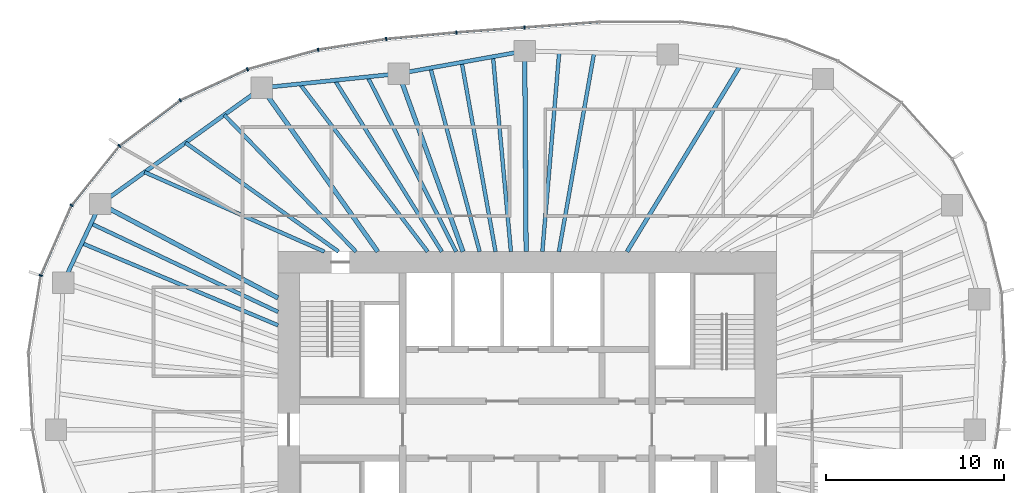
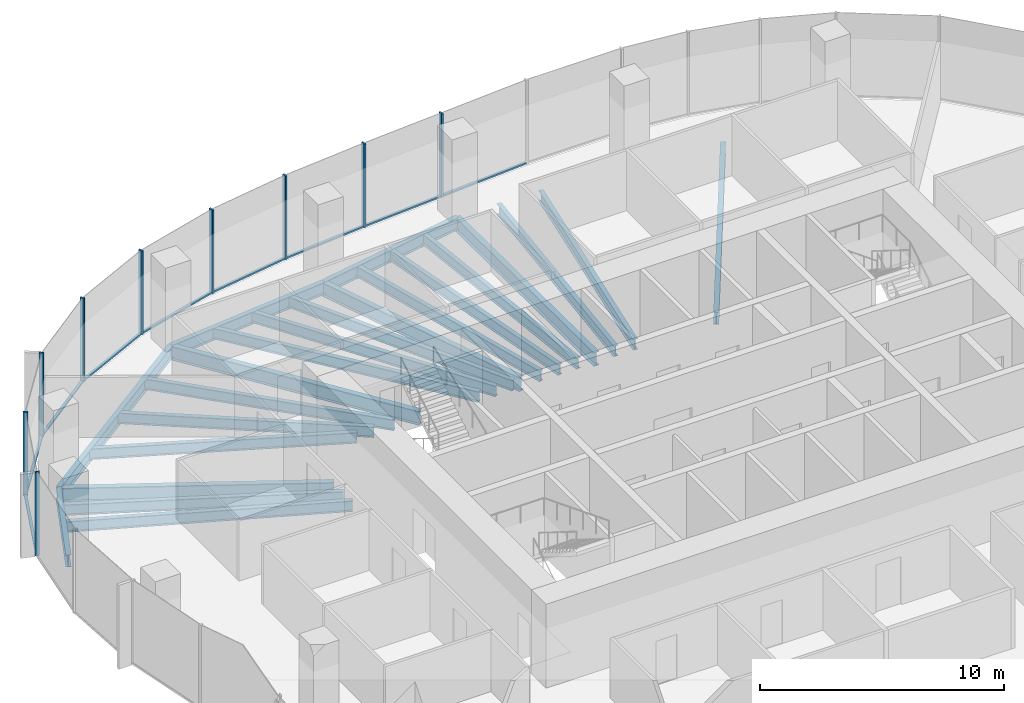
# One storey, part 5 of 12: 22 beams, 18 members, 6 elements without a shape of their own.
"""IFC4 building model written with IfcOpenShell, lengths in metres."""

from ifc_helpers import new_model, si_unit, direction, frame, origin, origin_2d, place, context, subcontext, project, spatial, rectangle, i_section, extrude, material, material_profile, profile_set, type_object, element, aggregate, save


model = new_model("IFC4")

# Units and contexts
model_context = context("Model", 3, precision=1e-05, world=origin(), true_north=direction((0.0, 1.0)))
body_context = subcontext(model_context, "Body", "Model", "MODEL_VIEW")
ifc_project = project(units=[si_unit("LENGTHUNIT", "METRE"), si_unit("AREAUNIT", "SQUARE_METRE"), si_unit("VOLUMEUNIT", "CUBIC_METRE"), si_unit("PLANEANGLEUNIT", "RADIAN"), si_unit("MASSUNIT", "GRAM", prefix="KILO")], contexts=[model_context])

# Site, building, storey
site_placement = place(None, origin())
site = spatial("IfcSite", under=ifc_project, at=site_placement, CompositionType="ELEMENT")
building_placement = place(site_placement, origin())
building = spatial("IfcBuilding", under=site, at=building_placement, Name="Ghaith Harvest Tower", CompositionType="ELEMENT")
storey_placement = place(building_placement, frame((0.0, 0.0, 253.60009765625)))
storey = spatial("IfcBuildingStorey", under=building, at=storey_placement, Name="L56", CompositionType="ELEMENT", Elevation=253.60009765625)

# Curtain wall, members
ifc_material_1 = material(Name="Black anodised aluminium and fritted glass", Category="aluminium")
curtain_wall_type = type_object("IfcCurtainWallType", Name="CW-H CURTAIN WALL", PredefinedType="NOTDEFINED", material=ifc_material_1)
curtain_wall_1_placement = place(storey_placement, origin())
curtain_wall_1 = element("IfcCurtainWall", 1, at=curtain_wall_1_placement, inside=storey, type_object=curtain_wall_type, Name="Curtain wall CW-H bay 06 L56", PredefinedType="NOTDEFINED")
ifc_material_2 = material(Name="Aluminium, black anodised", Category="aluminium")
ifc_material_profile_1 = material_profile(ifc_material_2, rectangle(XDim=0.080078125, YDim=0.199951171875, at=origin_2d()), Name="CW-H MULLION 80x200")
ifc_profile_set_1 = profile_set([ifc_material_profile_1], Name="Aluminium, black anodised")
member_type_1 = type_object("IfcMemberType", Name="CW-H MULLION 80x200", PredefinedType="MULLION", material=ifc_profile_set_1)
member_1_placement = place(storey_placement, frame((-0.154541015625, 22.590576171875, 0.0), z_axis=(0.0, 0.0, 1.0), x_axis=(-0.997329249665, -0.073036756239, 0.0)))
member_1 = element("IfcMember", 2, at=member_1_placement, type_object=member_type_1, Name="CW-H mullion 1 bay 06 L56", PredefinedType="MULLION", context=body_context, shape_type="SweptSolid", body=[
    extrude(rectangle(XDim=0.080078125, YDim=0.199951171875, at=origin_2d()), origin(), (0.0, 0.0, 1.0), 4.199951171875),
])
member_2_placement = place(storey_placement, frame((-3.984375, 22.310302734375, 0.0), z_axis=(0.0, 0.0, 1.0), x_axis=(-0.996522526822, -0.083323787336, 0.0)))
member_2 = element("IfcMember", 3, at=member_2_placement, type_object=member_type_1, Name="CW-H mullion 2 bay 06 L56", PredefinedType="MULLION", context=body_context, shape_type="SweptSolid", body=[
    extrude(rectangle(XDim=0.080078125, YDim=0.199951171875, at=origin_2d()), origin(), (0.0, 0.0, 1.0), 4.199951171875),
])

curtain_wall_2_placement = place(storey_placement, origin())
curtain_wall_2 = element("IfcCurtainWall", 4, at=curtain_wall_2_placement, inside=storey, type_object=curtain_wall_type, Name="Curtain wall CW-H bay 07 L56", PredefinedType="NOTDEFINED")
member_3_placement = place(storey_placement, frame((-7.924560546875, 21.94091796875, 0.0), z_axis=(0.0, 0.0, 1.0), x_axis=(-0.992235485325, -0.124373396119, 0.0)))
member_3 = element("IfcMember", 5, at=member_3_placement, type_object=member_type_1, Name="CW-H mullion 1 bay 07 L56", PredefinedType="MULLION", context=body_context, shape_type="SweptSolid", body=[
    extrude(rectangle(XDim=0.080078125, YDim=0.199951171875, at=origin_2d()), origin(), (0.0, 0.0, 1.0), 4.199951171875),
])
member_4_placement = place(storey_placement, frame((-11.75244140625, 21.336669921875, 0.0), z_axis=(0.0, 0.0, 1.0), x_axis=(-0.977086484172, -0.212842670646, 0.0)))
member_4 = element("IfcMember", 6, at=member_4_placement, type_object=member_type_1, Name="CW-H mullion 2 bay 07 L56", PredefinedType="MULLION", context=body_context, shape_type="SweptSolid", body=[
    extrude(rectangle(XDim=0.080078125, YDim=0.199951171875, at=origin_2d()), origin(), (0.0, 0.0, 1.0), 4.199951171875),
])

curtain_wall_3_placement = place(storey_placement, origin())
curtain_wall_3 = element("IfcCurtainWall", 7, at=curtain_wall_3_placement, inside=storey, type_object=curtain_wall_type, Name="Curtain wall CW-H bay 08 L56", PredefinedType="NOTDEFINED")
member_5_placement = place(storey_placement, frame((-15.720947265625, 20.242431640625, 0.0), z_axis=(0.0, 0.0, 1.0), x_axis=(-0.938930986476, -0.344105510906, 0.0)))
member_5 = element("IfcMember", 8, at=member_5_placement, type_object=member_type_1, Name="CW-H mullion 1 bay 08 L56", PredefinedType="MULLION", context=body_context, shape_type="SweptSolid", body=[
    extrude(rectangle(XDim=0.080078125, YDim=0.199951171875, at=origin_2d()), origin(), (0.0, 0.0, 1.0), 4.199951171875),
])
member_6_placement = place(storey_placement, frame((-19.4951171875, 18.4990234375, 0.0), z_axis=(0.0, 0.0, 1.0), x_axis=(-0.857998754004, -0.513651767376, 0.0)))
member_6 = element("IfcMember", 9, at=member_6_placement, type_object=member_type_1, Name="CW-H mullion 2 bay 08 L56", PredefinedType="MULLION", context=body_context, shape_type="SweptSolid", body=[
    extrude(rectangle(XDim=0.080078125, YDim=0.199951171875, at=origin_2d()), origin(), (0.0, 0.0, 1.0), 4.199951171875),
])

curtain_wall_4_placement = place(storey_placement, origin())
curtain_wall_4 = element("IfcCurtainWall", 10, at=curtain_wall_4_placement, inside=storey, type_object=curtain_wall_type, Name="Curtain wall CW-H bay 09 L56", PredefinedType="NOTDEFINED")
member_7_placement = place(storey_placement, frame((-22.908203125, 15.939697265625, 0.0), z_axis=(0.0, 0.0, 1.0), x_axis=(-0.719146135082, -0.694858860774, 0.0)))
member_7 = element("IfcMember", 11, at=member_7_placement, type_object=member_type_1, Name="CW-H mullion 1 bay 09 L56", PredefinedType="MULLION", context=body_context, shape_type="SweptSolid", body=[
    extrude(rectangle(XDim=0.080078125, YDim=0.199951171875, at=origin_2d()), origin(), (0.0, 0.0, 1.0), 4.199951171875),
])
member_8_placement = place(storey_placement, frame((-25.599609375, 12.6005859375, 0.0), z_axis=(0.0, 0.0, 1.0), x_axis=(-0.518769201232, -0.854914332464, 0.0)))
member_8 = element("IfcMember", 12, at=member_8_placement, type_object=member_type_1, Name="CW-H mullion 2 bay 09 L56", PredefinedType="MULLION", context=body_context, shape_type="SweptSolid", body=[
    extrude(rectangle(XDim=0.080078125, YDim=0.199951171875, at=origin_2d()), origin(), (0.0, 0.0, 1.0), 4.199951171875),
])

# Curtain wall, member
curtain_wall_5_placement = place(storey_placement, origin())
curtain_wall_5 = element("IfcCurtainWall", 13, at=curtain_wall_5_placement, inside=storey, type_object=curtain_wall_type, Name="Curtain wall CW-H bay 10 L56", PredefinedType="NOTDEFINED")
member_9_placement = place(storey_placement, frame((-27.32568359375, 8.659912109375, 0.0), z_axis=(0.0, 0.0, 1.0), x_axis=(-0.280520268431, -0.959848102045, 0.0)))
member_9 = element("IfcMember", 14, at=member_9_placement, type_object=member_type_1, Name="CW-H mullion 1 bay 10 L56", PredefinedType="MULLION", context=body_context, shape_type="SweptSolid", body=[
    extrude(rectangle(XDim=0.080078125, YDim=0.199951171875, at=origin_2d()), origin(), (0.0, 0.0, 1.0), 4.199951171875),
])
aggregate(curtain_wall_5, [member_9])

curtain_wall_6_placement = place(storey_placement, origin())
curtain_wall_6 = element("IfcCurtainWall", 15, at=curtain_wall_6_placement, inside=storey, type_object=curtain_wall_type, Name="Curtain wall CW-H bay 05 L56", PredefinedType="NOTDEFINED")
ifc_material_3 = material(Name="Aluminium, black anodised", Category="aluminium")
ifc_material_profile_2 = material_profile(ifc_material_3, rectangle(XDim=0.1298828125, YDim=0.080078125, at=origin_2d()), Name="CW-H TRANSOM 130x80")
ifc_profile_set_2 = profile_set([ifc_material_profile_2], Name="Aluminium, black anodised")
member_type_2 = type_object("IfcMemberType", Name="CW-H TRANSOM 130x80", PredefinedType="USERDEFINED", material=ifc_profile_set_2)
member_10_placement = place(storey_placement, frame((4.01953125, 22.896484375, 0.039794921875), z_axis=(-0.997325457985, -0.07308851384, 0.0), x_axis=(0.07308851384, -0.997325457985, 0.0)))
member_10 = element("IfcMember", 16, at=member_10_placement, type_object=member_type_2, Name="CW-H transom 2 bay 05 L56", ObjectType="TRANSOM", PredefinedType="USERDEFINED", context=body_context, shape_type="SweptSolid", body=[
    extrude(rectangle(XDim=0.1298828125, YDim=0.080078125, at=origin_2d()), origin(), (0.0, 0.0, 1.0), 4.145263671875),
])
aggregate(curtain_wall_6, [member_10])

# Member
member_11_placement = place(storey_placement, frame((-0.194580078125, 22.587646484375, 0.039794921875), z_axis=(-0.997332916649, -0.072986665689, 0.0), x_axis=(0.072986665689, -0.997332916649, 0.0)))
member_11 = element("IfcMember", 17, at=member_11_placement, type_object=member_type_2, Name="CW-H transom 1 bay 06 L56", ObjectType="TRANSOM", PredefinedType="USERDEFINED", context=body_context, shape_type="SweptSolid", body=[
    extrude(rectangle(XDim=0.1298828125, YDim=0.080078125, at=origin_2d()), origin(), (0.0, 0.0, 1.0), 3.759765625),
])

member_12_placement = place(storey_placement, frame((-4.024169921875, 22.306640625, 0.039794921875), z_axis=(-0.995631116984, -0.093373866217, 0.0), x_axis=(0.093373866217, -0.995631116984, 0.0)))
member_12 = element("IfcMember", 18, at=member_12_placement, type_object=member_type_2, Name="CW-H transom 2 bay 06 L56", ObjectType="TRANSOM", PredefinedType="USERDEFINED", context=body_context, shape_type="SweptSolid", body=[
    extrude(rectangle(XDim=0.1298828125, YDim=0.080078125, at=origin_2d()), origin(), (0.0, 0.0, 1.0), 3.87744140625),
])

aggregate(curtain_wall_1, [member_1, member_11, member_2, member_12])

member_13_placement = place(storey_placement, frame((-7.964111328125, 21.9345703125, 0.039794921875), z_axis=(-0.98776765914, -0.155932843097, 0.0), x_axis=(0.155932843097, -0.98776765914, 0.0)))
member_13 = element("IfcMember", 19, at=member_13_placement, type_object=member_type_2, Name="CW-H transom 1 bay 07 L56", ObjectType="TRANSOM", PredefinedType="USERDEFINED", context=body_context, shape_type="SweptSolid", body=[
    extrude(rectangle(XDim=0.1298828125, YDim=0.080078125, at=origin_2d()), origin(), (0.0, 0.0, 1.0), 3.795166015625),
])

member_14_placement = place(storey_placement, frame((-11.791015625, 21.325927734375, 0.039794921875), z_axis=(-0.964038584245, -0.265762315024, 0.0), x_axis=(0.265762315024, -0.964038584245, 0.0)))
member_14 = element("IfcMember", 20, at=member_14_placement, type_object=member_type_2, Name="CW-H transom 2 bay 07 L56", ObjectType="TRANSOM", PredefinedType="USERDEFINED", context=body_context, shape_type="SweptSolid", body=[
    extrude(rectangle(XDim=0.1298828125, YDim=0.080078125, at=origin_2d()), origin(), (0.0, 0.0, 1.0), 4.03662109375),
])

aggregate(curtain_wall_2, [member_3, member_13, member_4, member_14])

member_15_placement = place(storey_placement, frame((-15.75732421875, 20.2255859375, 0.039794921875), z_axis=(-0.907831404762, -0.419335355686, 0.0), x_axis=(0.419335355686, -0.907831404762, 0.0)))
member_15 = element("IfcMember", 21, at=member_15_placement, type_object=member_type_2, Name="CW-H transom 1 bay 08 L56", ObjectType="TRANSOM", PredefinedType="USERDEFINED", context=body_context, shape_type="SweptSolid", body=[
    extrude(rectangle(XDim=0.1298828125, YDim=0.080078125, at=origin_2d()), origin(), (0.0, 0.0, 1.0), 4.0771484375),
])

member_16_placement = place(storey_placement, frame((-19.527099609375, 18.47509765625, 0.039794921875), z_axis=(-0.800041988873, -0.599944010755, 0.0), x_axis=(0.599944010755, -0.800041988873, 0.0)))
member_16 = element("IfcMember", 22, at=member_16_placement, type_object=member_type_2, Name="CW-H transom 2 bay 08 L56", ObjectType="TRANSOM", PredefinedType="USERDEFINED", context=body_context, shape_type="SweptSolid", body=[
    extrude(rectangle(XDim=0.1298828125, YDim=0.080078125, at=origin_2d()), origin(), (0.0, 0.0, 1.0), 4.186279296875),
])

aggregate(curtain_wall_3, [member_5, member_15, member_6, member_16])

member_17_placement = place(storey_placement, frame((-22.933349609375, 15.90869140625, 0.039794921875), z_axis=(-0.6275347306, -0.778588570357, 0.0), x_axis=(0.778588570357, -0.6275347306, 0.0)))
member_17 = element("IfcMember", 23, at=member_17_placement, type_object=member_type_2, Name="CW-H transom 1 bay 09 L56", ObjectType="TRANSOM", PredefinedType="USERDEFINED", context=body_context, shape_type="SweptSolid", body=[
    extrude(rectangle(XDim=0.1298828125, YDim=0.080078125, at=origin_2d()), origin(), (0.0, 0.0, 1.0), 4.208740234375),
])

member_18_placement = place(storey_placement, frame((-25.61572265625, 12.56396484375, 0.039794921875), z_axis=(-0.401185844746, -0.915996680112, 0.0), x_axis=(0.915996680112, -0.401185844746, 0.0)))
member_18 = element("IfcMember", 24, at=member_18_placement, type_object=member_type_2, Name="CW-H transom 2 bay 09 L56", ObjectType="TRANSOM", PredefinedType="USERDEFINED", context=body_context, shape_type="SweptSolid", body=[
    extrude(rectangle(XDim=0.1298828125, YDim=0.080078125, at=origin_2d()), origin(), (0.0, 0.0, 1.0), 4.22216796875),
])

aggregate(curtain_wall_4, [member_7, member_17, member_8, member_18])

# Beams
ifc_material_4 = material(Name="Steel ASTM A992 Grade 50", Category="steel")
ifc_material_profile_3 = material_profile(ifc_material_4, i_section(OverallWidth=0.22900390625, OverallDepth=0.612060546875, WebThickness=0.011962890625, FlangeThickness=0.01953125, at=origin_2d()), Name="W610X125")
ifc_profile_set_3 = profile_set([ifc_material_profile_3], Name="Steel ASTM A992 Grade 50")
beam_type_1 = type_object("IfcBeamType", Name="E610-125 W610X125", PredefinedType="SPANDREL", material=ifc_profile_set_3)
beam_1_placement = place(storey_placement, frame((-0.14599609375, 21.27099609375, -0.47607421875), z_axis=(-0.984177047684, -0.177187863051, 0.0), x_axis=(0.177187863051, -0.984177047684, 0.0)))
element("IfcBeam", 25, at=beam_1_placement, inside=storey, type_object=beam_type_1, Name="Edge beam E06 L56", PredefinedType="SPANDREL", context=body_context, shape_type="SweptSolid", body=[
    extrude(i_section(OverallWidth=0.22900390625, OverallDepth=0.612060546875, WebThickness=0.011962890625, FlangeThickness=0.01953125, at=origin_2d()), origin(), (0.0, 0.0, 1.0), 7.189697265625),
])
beam_2_placement = place(storey_placement, frame((-7.221923828125, 19.9970703125, -0.47607421875), z_axis=(-0.994669141618, -0.103117887451, 0.0), x_axis=(0.103117887451, -0.994669141618, 0.0)))
element("IfcBeam", 26, at=beam_2_placement, inside=storey, type_object=beam_type_1, Name="Edge beam E07 L56", PredefinedType="SPANDREL", context=body_context, shape_type="SweptSolid", body=[
    extrude(i_section(OverallWidth=0.22900390625, OverallDepth=0.612060546875, WebThickness=0.011962890625, FlangeThickness=0.01953125, at=origin_2d()), origin(), (0.0, 0.0, 1.0), 7.730224609375),
])
beam_3_placement = place(storey_placement, frame((-14.910888671875, 19.199951171875, -0.47607421875), z_axis=(-0.812050311838, -0.583587432219, 0.0), x_axis=(0.583587432219, -0.812050311838, 0.0)))
element("IfcBeam", 27, at=beam_3_placement, inside=storey, type_object=beam_type_1, Name="Edge beam E08 L56", PredefinedType="SPANDREL", context=body_context, shape_type="SweptSolid", body=[
    extrude(i_section(OverallWidth=0.22900390625, OverallDepth=0.612060546875, WebThickness=0.011962890625, FlangeThickness=0.01953125, at=origin_2d()), origin(), (0.0, 0.0, 1.0), 11.175537109375),
])
beam_4_placement = place(storey_placement, frame((-23.986083984375, 12.677978515625, -0.47607421875), z_axis=(-0.426170247297, -0.904642979478, 0.0), x_axis=(0.904642979478, -0.426170247297, 0.0)))
element("IfcBeam", 28, at=beam_4_placement, inside=storey, type_object=beam_type_1, Name="Edge beam E09 L56", PredefinedType="SPANDREL", context=body_context, shape_type="SweptSolid", body=[
    extrude(i_section(OverallWidth=0.22900390625, OverallDepth=0.612060546875, WebThickness=0.011962890625, FlangeThickness=0.01953125, at=origin_2d()), origin(), (0.0, 0.0, 1.0), 4.882568359375),
])
ifc_material_5 = material(Name="Steel ASTM A992 Grade 50", Category="steel")
ifc_material_profile_4 = material_profile(ifc_material_5, i_section(OverallWidth=0.256103515625, OverallDepth=0.693115234375, WebThickness=0.014404296875, FlangeThickness=0.023681640625, at=origin_2d()), Name="W690X170")
ifc_profile_set_4 = profile_set([ifc_material_profile_4], Name="Steel ASTM A992 Grade 50")
beam_type_2 = type_object("IfcBeamType", Name="G690-170 W690X170", PredefinedType="BEAM", material=ifc_profile_set_4)
beam_5_placement = place(storey_placement, frame((-0.068359375, 10.0, -0.5166015625), z_axis=(-0.006888022705, 0.99997627729, 0.0), x_axis=(-0.99997627729, -0.006888022705, 0.0)))
element("IfcBeam", 29, at=beam_5_placement, inside=storey, type_object=beam_type_2, Name="Radial girder G06 L56", PredefinedType="BEAM", context=body_context, shape_type="SweptSolid", body=[
    extrude(i_section(OverallWidth=0.256103515625, OverallDepth=0.693115234375, WebThickness=0.014404296875, FlangeThickness=0.023681640625, at=origin_2d()), origin(), (0.0, 0.0, 1.0), 11.271240234375),
])
beam_6_placement = place(storey_placement, frame((-3.61181640625, 10.0, -0.5166015625), z_axis=(-0.339648979266, 0.940552269086, 0.0), x_axis=(-0.940552269086, -0.339648979266, 0.0)))
element("IfcBeam", 30, at=beam_6_placement, inside=storey, type_object=beam_type_2, Name="Radial girder G07 L56", PredefinedType="BEAM", context=body_context, shape_type="SweptSolid", body=[
    extrude(i_section(OverallWidth=0.256103515625, OverallDepth=0.693115234375, WebThickness=0.014404296875, FlangeThickness=0.023681640625, at=origin_2d()), origin(), (0.0, 0.0, 1.0), 10.62890625),
])
beam_7_placement = place(storey_placement, frame((-8.39990234375, 10.0, -0.5166015625), z_axis=(-0.577683734365, 0.816260683268, 0.0), x_axis=(-0.816260683268, -0.577683734365, 0.0)))
element("IfcBeam", 31, at=beam_7_placement, inside=storey, type_object=beam_type_2, Name="Radial girder G08 L56", PredefinedType="BEAM", context=body_context, shape_type="SweptSolid", body=[
    extrude(i_section(OverallWidth=0.256103515625, OverallDepth=0.693115234375, WebThickness=0.014404296875, FlangeThickness=0.023681640625, at=origin_2d()), origin(), (0.0, 0.0, 1.0), 11.270751953125),
])
beam_8_placement = place(storey_placement, frame((-14.0, 7.39990234375, -0.5166015625), z_axis=(-0.884105273337, 0.467287776062, 0.0), x_axis=(-0.467287776062, -0.884105273337, 0.0)))
element("IfcBeam", 32, at=beam_8_placement, inside=storey, type_object=beam_type_2, Name="Radial girder G09 L56", PredefinedType="BEAM", context=body_context, shape_type="SweptSolid", body=[
    extrude(i_section(OverallWidth=0.256103515625, OverallDepth=0.693115234375, WebThickness=0.014404296875, FlangeThickness=0.023681640625, at=origin_2d()), origin(), (0.0, 0.0, 1.0), 11.295166015625),
])
ifc_material_6 = material(Name="Steel ASTM A992 Grade 50", Category="steel")
ifc_material_profile_5 = material_profile(ifc_material_6, i_section(OverallWidth=0.2109375, OverallDepth=0.5390625, WebThickness=0.01171875, FlangeThickness=0.018798828125, at=origin_2d()), Name="W530X109")
ifc_profile_set_5 = profile_set([ifc_material_profile_5], Name="Steel ASTM A992 Grade 50")
beam_type_3 = type_object("IfcBeamType", Name="J530-109 W530X109", PredefinedType="JOIST", material=ifc_profile_set_5)
beam_9_placement = place(storey_placement, frame((1.772705078125, 10.0, -0.439697265625), z_axis=(0.17455599258, 0.984647249249, 0.0), x_axis=(-0.984647249249, 0.17455599258, 0.0)))
element("IfcBeam", 33, at=beam_9_placement, inside=storey, type_object=beam_type_3, Name="Joist J05.2 L56", PredefinedType="JOIST", context=body_context, shape_type="SweptSolid", body=[
    extrude(i_section(OverallWidth=0.2109375, OverallDepth=0.5390625, WebThickness=0.01171875, FlangeThickness=0.018798828125, at=origin_2d()), origin(), (0.0, 0.0, 1.0), 11.3486328125),
])
beam_10_placement = place(storey_placement, frame((0.844970703125, 10.0, -0.439697265625), z_axis=(0.084213263804, 0.996447753873, 0.0), x_axis=(-0.996447753873, 0.084213263804, 0.0)))
element("IfcBeam", 34, at=beam_10_placement, inside=storey, type_object=beam_type_3, Name="Joist J05.3 L56", PredefinedType="JOIST", context=body_context, shape_type="SweptSolid", body=[
    extrude(i_section(OverallWidth=0.2109375, OverallDepth=0.5390625, WebThickness=0.01171875, FlangeThickness=0.018798828125, at=origin_2d()), origin(), (0.0, 0.0, 1.0), 11.262939453125),
])
beam_11_placement = place(storey_placement, frame((-0.92041015625, 10.0, -0.439697265625), z_axis=(-0.091648687045, 0.995791402937, 0.0), x_axis=(-0.995791402937, -0.091648687045, 0.0)))
element("IfcBeam", 35, at=beam_11_placement, inside=storey, type_object=beam_type_3, Name="Joist J06.1 L56", PredefinedType="JOIST", context=body_context, shape_type="SweptSolid", body=[
    extrude(i_section(OverallWidth=0.2109375, OverallDepth=0.5390625, WebThickness=0.01171875, FlangeThickness=0.018798828125, at=origin_2d()), origin(), (0.0, 0.0, 1.0), 10.99658203125),
])
beam_12_placement = place(storey_placement, frame((-1.785888671875, 10.0, -0.439697265625), z_axis=(-0.175793767479, 0.984427016754, 0.0), x_axis=(-0.984427016754, -0.175793767479, 0.0)))
element("IfcBeam", 36, at=beam_12_placement, inside=storey, type_object=beam_type_3, Name="Joist J06.2 L56", PredefinedType="JOIST", context=body_context, shape_type="SweptSolid", body=[
    extrude(i_section(OverallWidth=0.2109375, OverallDepth=0.5390625, WebThickness=0.01171875, FlangeThickness=0.018798828125, at=origin_2d()), origin(), (0.0, 0.0, 1.0), 10.802001953125),
])
beam_13_placement = place(storey_placement, frame((-2.677978515625, 10.0, -0.439697265625), z_axis=(-0.258674007994, 0.965964677195, 0.0), x_axis=(-0.965964677195, -0.258674007994, 0.0)))
element("IfcBeam", 37, at=beam_13_placement, inside=storey, type_object=beam_type_3, Name="Joist J06.3 L56", PredefinedType="JOIST", context=body_context, shape_type="SweptSolid", body=[
    extrude(i_section(OverallWidth=0.2109375, OverallDepth=0.5390625, WebThickness=0.01171875, FlangeThickness=0.018798828125, at=origin_2d()), origin(), (0.0, 0.0, 1.0), 10.68115234375),
])
beam_14_placement = place(storey_placement, frame((-4.0, 10.0, -0.439697265625), z_axis=(-0.451646219201, 0.892197115374, 0.0), x_axis=(-0.892197115374, -0.451646219201, 0.0)))
element("IfcBeam", 38, at=beam_14_placement, inside=storey, type_object=beam_type_3, Name="Joist J07.1 L56", PredefinedType="JOIST", context=body_context, shape_type="SweptSolid", body=[
    extrude(i_section(OverallWidth=0.2109375, OverallDepth=0.5390625, WebThickness=0.01171875, FlangeThickness=0.018798828125, at=origin_2d()), origin(), (0.0, 0.0, 1.0), 11.001953125),
])
beam_15_placement = place(storey_placement, frame((-4.800048828125, 10.0, -0.439697265625), z_axis=(-0.529627564093, 0.848230300893, 0.0), x_axis=(-0.848230300893, -0.529627564093, 0.0)))
element("IfcBeam", 39, at=beam_15_placement, inside=storey, type_object=beam_type_3, Name="Joist J07.2 L56", PredefinedType="JOIST", context=body_context, shape_type="SweptSolid", body=[
    extrude(i_section(OverallWidth=0.2109375, OverallDepth=0.5390625, WebThickness=0.01171875, FlangeThickness=0.018798828125, at=origin_2d()), origin(), (0.0, 0.0, 1.0), 11.34716796875),
])
beam_16_placement = place(storey_placement, frame((-5.60009765625, 10.0, -0.439697265625), z_axis=(-0.605976135502, 0.795482823952, 0.0), x_axis=(-0.795482823952, -0.605976135502, 0.0)))
element("IfcBeam", 40, at=beam_16_placement, inside=storey, type_object=beam_type_3, Name="Joist J07.3 L56", PredefinedType="JOIST", context=body_context, shape_type="SweptSolid", body=[
    extrude(i_section(OverallWidth=0.2109375, OverallDepth=0.5390625, WebThickness=0.01171875, FlangeThickness=0.018798828125, at=origin_2d()), origin(), (0.0, 0.0, 1.0), 11.84326171875),
])
beam_17_placement = place(storey_placement, frame((-9.626708984375, 10.0, -0.439697265625), z_axis=(-0.69354049188, 0.720417647009, 0.0), x_axis=(-0.720417647009, -0.69354049188, 0.0)))
element("IfcBeam", 41, at=beam_17_placement, inside=storey, type_object=beam_type_3, Name="Joist J08.1 L56", PredefinedType="JOIST", context=body_context, shape_type="SweptSolid", body=[
    extrude(i_section(OverallWidth=0.2109375, OverallDepth=0.5390625, WebThickness=0.01171875, FlangeThickness=0.018798828125, at=origin_2d()), origin(), (0.0, 0.0, 1.0), 10.6640625),
])
beam_18_placement = place(storey_placement, frame((-10.60009765625, 10.0, -0.439697265625), z_axis=(-0.814837070547, 0.579690045164, 0.0), x_axis=(-0.579690045164, -0.814837070547, 0.0)))
element("IfcBeam", 42, at=beam_18_placement, inside=storey, type_object=beam_type_3, Name="Joist J08.2 L56", PredefinedType="JOIST", context=body_context, shape_type="SweptSolid", body=[
    extrude(i_section(OverallWidth=0.2109375, OverallDepth=0.5390625, WebThickness=0.01171875, FlangeThickness=0.018798828125, at=origin_2d()), origin(), (0.0, 0.0, 1.0), 10.5537109375),
])
beam_19_placement = place(storey_placement, frame((-11.39990234375, 10.0, -0.439697265625), z_axis=(-0.914561290029, 0.40444733499, 0.0), x_axis=(-0.40444733499, -0.914561290029, 0.0)))
element("IfcBeam", 43, at=beam_19_placement, inside=storey, type_object=beam_type_3, Name="Joist J08.3 L56", PredefinedType="JOIST", context=body_context, shape_type="SweptSolid", body=[
    extrude(i_section(OverallWidth=0.2109375, OverallDepth=0.5390625, WebThickness=0.01171875, FlangeThickness=0.018798828125, at=origin_2d()), origin(), (0.0, 0.0, 1.0), 11.041748046875),
])
beam_20_placement = place(storey_placement, frame((-14.0, 6.614990234375, -0.439697265625), z_axis=(-0.904154184779, 0.427206285238, 0.0), x_axis=(-0.427206285238, -0.904154184779, 0.0)))
element("IfcBeam", 44, at=beam_20_placement, inside=storey, type_object=beam_type_3, Name="Joist J09.1 L56", PredefinedType="JOIST", context=body_context, shape_type="SweptSolid", body=[
    extrude(i_section(OverallWidth=0.2109375, OverallDepth=0.5390625, WebThickness=0.01171875, FlangeThickness=0.018798828125, at=origin_2d()), origin(), (0.0, 0.0, 1.0), 11.61767578125),
])
beam_21_placement = place(storey_placement, frame((-14.0, 5.862548828125, -0.439697265625), z_axis=(-0.922380898158, 0.386281605455, 0.0), x_axis=(-0.386281605455, -0.922380898158, 0.0)))
element("IfcBeam", 45, at=beam_21_placement, inside=storey, type_object=beam_type_3, Name="Joist J09.2 L56", PredefinedType="JOIST", context=body_context, shape_type="SweptSolid", body=[
    extrude(i_section(OverallWidth=0.2109375, OverallDepth=0.5390625, WebThickness=0.01171875, FlangeThickness=0.018798828125, at=origin_2d()), origin(), (0.0, 0.0, 1.0), 11.94970703125),
])
ifc_material_7 = material(Name="Steel ASTM A992 Grade 50", Category="steel")
ifc_material_profile_6 = material_profile(ifc_material_7, i_section(OverallWidth=0.22900390625, OverallDepth=0.612060546875, WebThickness=0.011962890625, FlangeThickness=0.01953125, at=origin_2d()), Name="W610X125")
ifc_profile_set_6 = profile_set([ifc_material_profile_6], Name="Steel ASTM A992 Grade 50")
beam_type_4 = type_object("IfcBeamType", Name="J610-125 W610X125", PredefinedType="JOIST", material=ifc_profile_set_6)
beam_22_placement = place(storey_placement, frame((5.60009765625, 10.0, -0.47607421875), z_axis=(0.519863845761, 0.854249133374, 0.0), x_axis=(-0.854249133374, 0.519863845761, 0.0)))
element("IfcBeam", 46, at=beam_22_placement, inside=storey, type_object=beam_type_4, Name="Joist J04.2 L56", PredefinedType="JOIST", context=body_context, shape_type="SweptSolid", body=[
    extrude(i_section(OverallWidth=0.22900390625, OverallDepth=0.612060546875, WebThickness=0.011962890625, FlangeThickness=0.01953125, at=origin_2d()), origin(), (0.0, 0.0, 1.0), 12.209716796875),
])

save(model, "model.ifc")
